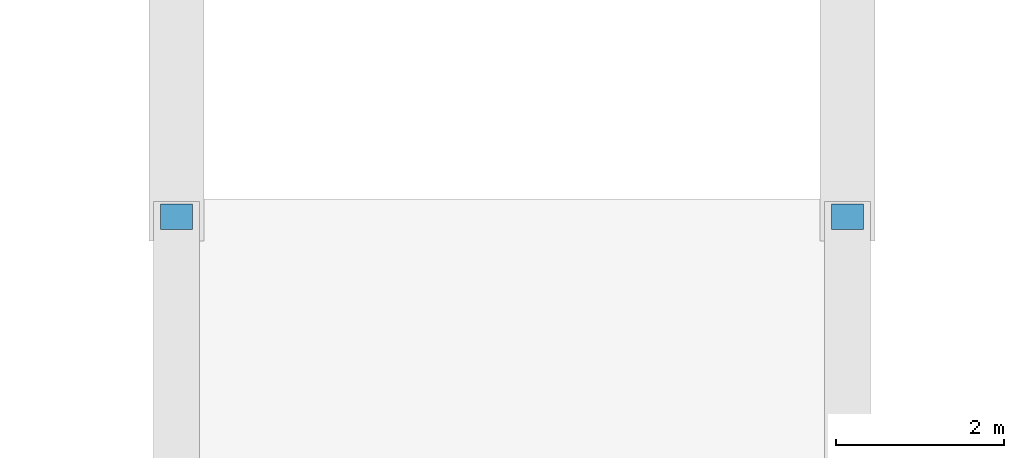
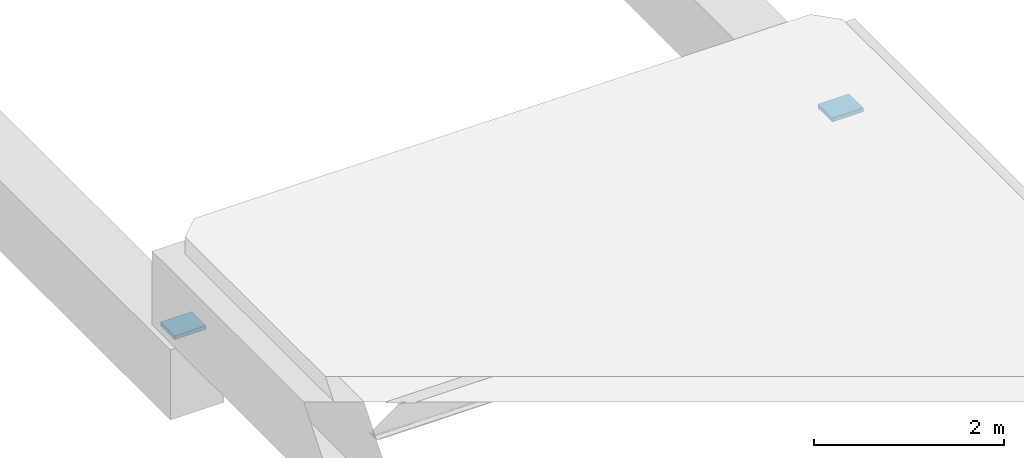
# One storey, part 94 of 107: 2 discrete accessories.
"""IFC4 building model written with IfcOpenShell, lengths in metres."""

from ifc_helpers import new_model, si_unit, direction, frame, origin, origin_2d, place, context, subcontext, project, spatial, rectangle, extrude, material, type_object, element, save


model = new_model("IFC4")

# Units and contexts
model_context = context("Model", 3, precision=1e-05, world=origin(), true_north=direction((0.0, 1.0)))
body_context = subcontext(model_context, "Body", "Model", "MODEL_VIEW")
ifc_project = project(units=[si_unit("LENGTHUNIT", "METRE"), si_unit("AREAUNIT", "SQUARE_METRE"), si_unit("VOLUMEUNIT", "CUBIC_METRE"), si_unit("PLANEANGLEUNIT", "RADIAN"), si_unit("MASSUNIT", "GRAM", prefix="KILO")], contexts=[model_context])

# Site, building, storey
site_placement = place(None, origin())
site = spatial("IfcSite", under=ifc_project, at=site_placement, CompositionType="ELEMENT")
building_placement = place(site_placement, origin())
building = spatial("IfcBuilding", under=site, at=building_placement, Name="Khelvaren Railside Concert Hall", CompositionType="ELEMENT")
storey_placement = place(building_placement, frame((0.0, 0.0, 15.0)))
storey = spatial("IfcBuildingStorey", under=building, at=storey_placement, Name="L03", CompositionType="ELEMENT", Elevation=15.0)

# Discrete accessories
ifc_material = material(Name="Elastomeric PTFE sliding bearing assembly", Category="steel")
discrete_accessory_type = type_object("IfcDiscreteAccessoryType", Name="SB94", PredefinedType="USERDEFINED", material=ifc_material)
for number, where, z_axis, x_axis, name in (
    (1, (8.0, 68.0400390625, -1.18994140625), (0.0, 0.0, 1.0), (0.0, 1.0, 0.0), "West Court Chamber Link Bridge L03 Unguided PTFE Sliding Bearing 1"),
    (2, (16.0, 68.0400390625, -1.18994140625), (0.0, 0.0, 1.0), (0.0, 1.0, 0.0), "West Court Chamber Link Bridge L03 Unguided PTFE Sliding Bearing 2"),
):
    element("IfcDiscreteAccessory", number, at=place(storey_placement, frame(where, z_axis=z_axis, x_axis=x_axis)), inside=storey, type_object=discrete_accessory_type, Name=name, ObjectType="SLIDING BEARING", PredefinedType="USERDEFINED", context=body_context, shape_type="SweptSolid", body=[
        extrude(rectangle(XDim=0.300048828125, YDim=0.3798828125, at=origin_2d()), origin(), (0.0, 0.0, 1.0), 0.050048828125),
    ])

save(model, "model.ifc")
